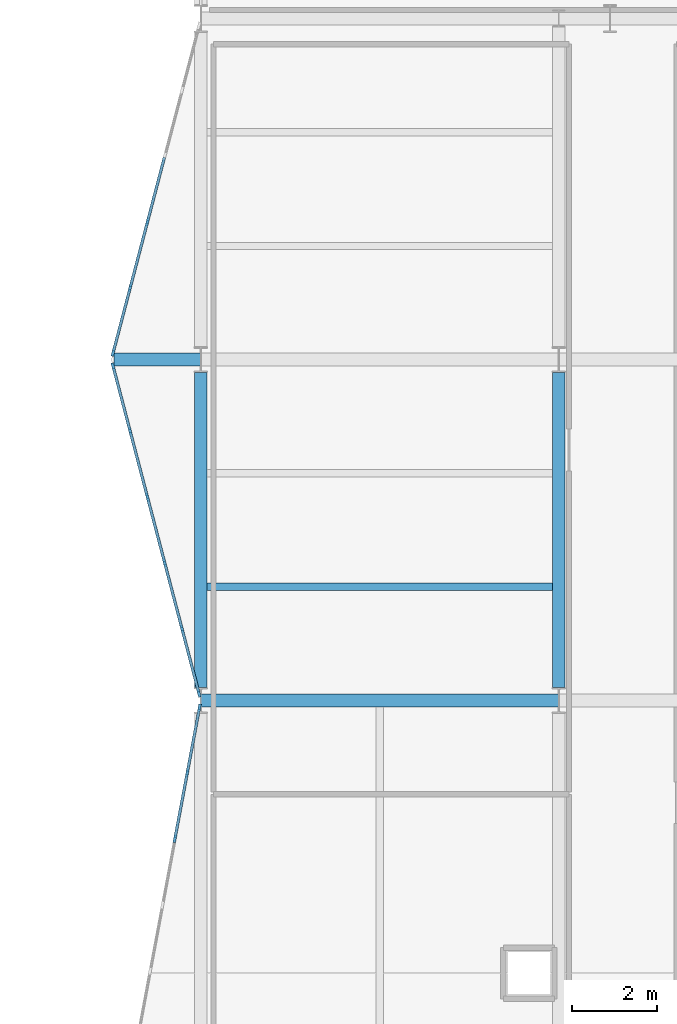
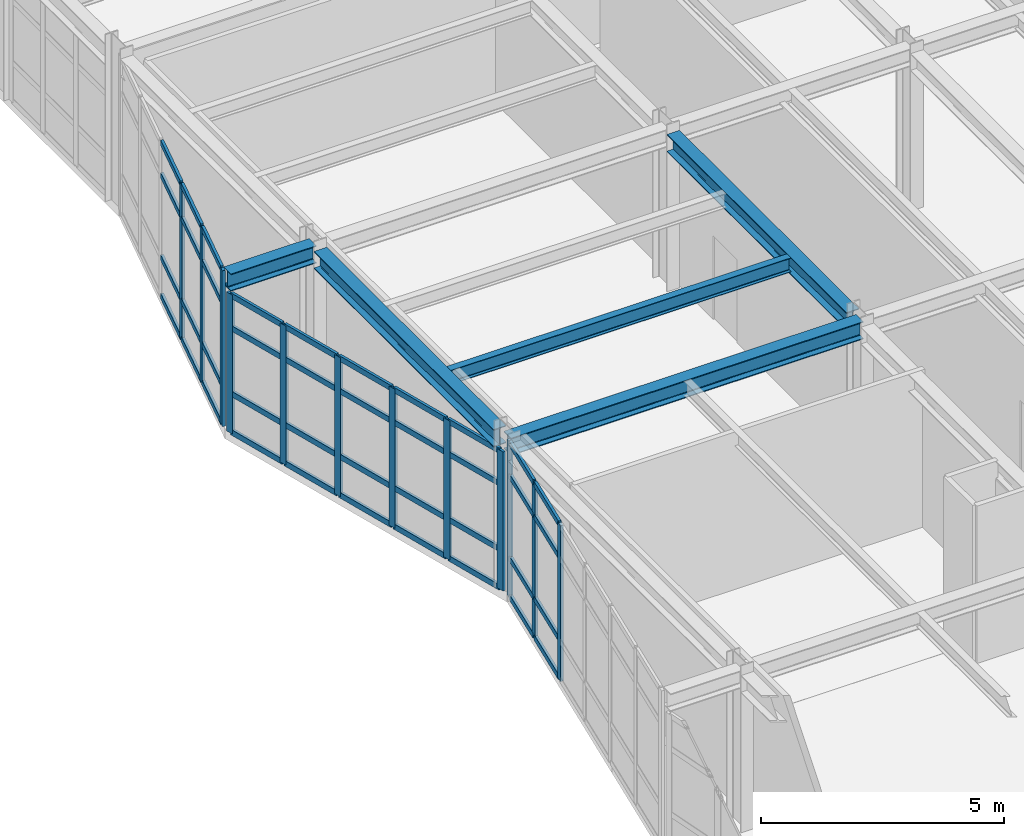
# One storey, part 35 of 99: 52 members, 5 beams, 3 elements without a shape of their own.
"""IFC4 building model written with IfcOpenShell, lengths in metres."""

from ifc_helpers import new_model, si_unit, direction, frame, origin, origin_2d, place, context, subcontext, project, spatial, rectangle, i_section, extrude, material, layer, layer_set, material_profile, profile_set, type_object, element, aggregate, save


model = new_model("IFC4")

# Units and contexts
model_context = context("Model", 3, precision=1e-05, world=origin(), true_north=direction((0.0, 1.0)))
body_context = subcontext(model_context, "Body", "Model", "MODEL_VIEW")
ifc_project = project(units=[si_unit("LENGTHUNIT", "METRE"), si_unit("AREAUNIT", "SQUARE_METRE"), si_unit("VOLUMEUNIT", "CUBIC_METRE"), si_unit("PLANEANGLEUNIT", "RADIAN"), si_unit("MASSUNIT", "GRAM", prefix="KILO")], contexts=[model_context])

# Site, building, storey
site_placement = place(None, origin())
site = spatial("IfcSite", under=ifc_project, at=site_placement, CompositionType="ELEMENT")
building_placement = place(site_placement, origin())
building = spatial("IfcBuilding", under=site, at=building_placement, Name="Nordkorset Police Headquarters", CompositionType="ELEMENT")
storey_placement = place(building_placement, frame((0.0, 0.0, 5.25)))
storey = spatial("IfcBuildingStorey", under=building, at=storey_placement, Name="L01", CompositionType="ELEMENT", Elevation=5.25)

# Beam
ifc_material_1 = material(Name="Steel S355J2", Category="steel")
ifc_material_profile_1 = material_profile(ifc_material_1, i_section(OverallWidth=0.169921875, OverallDepth=0.360107421875, WebThickness=0.008056640625, FlangeThickness=0.0126953125, FilletRadius=0.01806640625, at=origin_2d()), Name="IPE 360")
ifc_profile_set_1 = profile_set([ifc_material_profile_1], Name="Steel S355J2")
beam_type_1 = type_object("IfcBeamType", Name="Beam_IPE_360", PredefinedType="BEAM", material=ifc_profile_set_1)
beam_1_placement = place(storey_placement, frame((0.14990234375, 69.86669921875, 3.780029296875), z_axis=(1.0, 0.0, 0.0), x_axis=(0.0, 1.0, 0.0)))
element("IfcBeam", 1, at=beam_1_placement, inside=storey, type_object=beam_type_1, Name="Composite Floor Beam V3 L01 0-4-1", PredefinedType="BEAM", context=body_context, shape_type="SweptSolid", body=[
    extrude(i_section(OverallWidth=0.169921875, OverallDepth=0.360107421875, WebThickness=0.008056640625, FlangeThickness=0.0126953125, FilletRadius=0.01806640625, at=origin_2d()), origin(), (0.0, 0.0, 1.0), 8.10009765625),
])

# Curtain wall, members
ifc_material_2 = material(Name="Aluminium alloy AW-6060", Category="aluminium")
ifc_layer_1 = layer(ifc_material_2, 0.179931640625, Name="Aluminium alloy AW-6060")
ifc_layer_set_1 = layer_set([ifc_layer_1], Name="Aluminium alloy AW-6060")
curtain_wall_type_1 = type_object("IfcCurtainWallType", Name="CW_Unit_949x392", PredefinedType="USERDEFINED", material=ifc_layer_set_1)
curtain_wall_1_placement = place(storey_placement, origin())
curtain_wall_1 = element("IfcCurtainWall", 2, at=curtain_wall_1_placement, inside=storey, type_object=curtain_wall_type_1, Name="Unitised Curtain Wall L01 V3W-3", ObjectType="UNITISED CURTAIN WALL", PredefinedType="USERDEFINED")
ifc_material_3 = material(Name="Aluminium alloy AW-6060", Category="aluminium")
ifc_material_profile_2 = material_profile(ifc_material_3, rectangle(XDim=0.06494140625, YDim=0.179931640625, at=origin_2d()), Name="ALU MULL 65x180")
ifc_profile_set_2 = profile_set([ifc_material_profile_2], Name="Aluminium alloy AW-6060")
member_type_1 = type_object("IfcMemberType", Name="CW_Mullion_65x180", PredefinedType="MULLION", material=ifc_profile_set_2)
member_1_placement = place(storey_placement, frame((-0.608642578125, 63.9541015625, 0.0), z_axis=(0.0, 0.0, 1.0), x_axis=(-0.982872186935, 0.184288535048, 0.0)))
member_1 = element("IfcMember", 3, at=member_1_placement, type_object=member_type_1, Name="CW-49 mullion 5", PredefinedType="MULLION", context=body_context, shape_type="SweptSolid", body=[
    extrude(rectangle(XDim=0.06494140625, YDim=0.179931640625, at=origin_2d()), origin(), (0.0, 0.0, 1.0), 3.919921875),
])
member_2_placement = place(storey_placement, frame((-0.317138671875, 65.50830078125, 0.0), z_axis=(0.0, 0.0, 1.0), x_axis=(-0.982872186935, 0.184288535048, 0.0)))
member_2 = element("IfcMember", 4, at=member_2_placement, type_object=member_type_1, Name="CW-49 mullion 6", PredefinedType="MULLION", context=body_context, shape_type="SweptSolid", body=[
    extrude(rectangle(XDim=0.06494140625, YDim=0.179931640625, at=origin_2d()), origin(), (0.0, 0.0, 1.0), 3.919921875),
])
member_3_placement = place(storey_placement, frame((-0.03173828125, 67.030517578125, 0.0), z_axis=(0.0, 0.0, 1.0), x_axis=(-0.982872186935, 0.184288535048, 0.0)))
member_3 = element("IfcMember", 5, at=member_3_placement, type_object=member_type_1, Name="CW-49 mullion 7", PredefinedType="MULLION", context=body_context, shape_type="SweptSolid", body=[
    extrude(rectangle(XDim=0.06494140625, YDim=0.179931640625, at=origin_2d()), origin(), (0.0, 0.0, 1.0), 3.919921875),
])

ifc_material_4 = material(Name="Aluminium alloy AW-6060", Category="aluminium")
ifc_layer_2 = layer(ifc_material_4, 0.179931640625, Name="Aluminium alloy AW-6060")
ifc_layer_set_2 = layer_set([ifc_layer_2], Name="Aluminium alloy AW-6060")
curtain_wall_type_2 = type_object("IfcCurtainWallType", Name="CW_Unit_799x350", PredefinedType="USERDEFINED", material=ifc_layer_set_2)
curtain_wall_2_placement = place(storey_placement, origin())
curtain_wall_2 = element("IfcCurtainWall", 6, at=curtain_wall_2_placement, inside=storey, type_object=curtain_wall_type_2, Name="Unitised Curtain Wall L01 V3W-4", ObjectType="UNITISED CURTAIN WALL", PredefinedType="USERDEFINED")
member_4_placement = place(storey_placement, frame((-0.043701171875, 67.366943359375, 0.0), z_axis=(0.0, 0.0, 1.0), x_axis=(-0.967231265013, -0.25389698695, 0.0)))
member_4 = element("IfcMember", 7, at=member_4_placement, type_object=member_type_1, Name="CW-107 mullion 1", PredefinedType="MULLION", context=body_context, shape_type="SweptSolid", body=[
    extrude(rectangle(XDim=0.06494140625, YDim=0.179931640625, at=origin_2d()), origin(), (0.0, 0.0, 1.0), 3.5),
])
member_5_placement = place(storey_placement, frame((-0.44140625, 68.88134765625, 0.0), z_axis=(0.0, 0.0, 1.0), x_axis=(-0.967231265013, -0.25389698695, 0.0)))
member_5 = element("IfcMember", 8, at=member_5_placement, type_object=member_type_1, Name="CW-107 mullion 2", PredefinedType="MULLION", context=body_context, shape_type="SweptSolid", body=[
    extrude(rectangle(XDim=0.06494140625, YDim=0.179931640625, at=origin_2d()), origin(), (0.0, 0.0, 1.0), 3.5),
])
member_6_placement = place(storey_placement, frame((-0.84716796875, 70.427001953125, 0.0), z_axis=(0.0, 0.0, 1.0), x_axis=(-0.967231265013, -0.25389698695, 0.0)))
member_6 = element("IfcMember", 9, at=member_6_placement, type_object=member_type_1, Name="CW-107 mullion 3", PredefinedType="MULLION", context=body_context, shape_type="SweptSolid", body=[
    extrude(rectangle(XDim=0.06494140625, YDim=0.179931640625, at=origin_2d()), origin(), (0.0, 0.0, 1.0), 3.5),
])
member_7_placement = place(storey_placement, frame((-1.2529296875, 71.972900390625, 0.0), z_axis=(0.0, 0.0, 1.0), x_axis=(-0.967231265013, -0.25389698695, 0.0)))
member_7 = element("IfcMember", 10, at=member_7_placement, type_object=member_type_1, Name="CW-107 mullion 4", PredefinedType="MULLION", context=body_context, shape_type="SweptSolid", body=[
    extrude(rectangle(XDim=0.06494140625, YDim=0.179931640625, at=origin_2d()), origin(), (0.0, 0.0, 1.0), 3.5),
])
member_8_placement = place(storey_placement, frame((-1.65869140625, 73.518798828125, 0.0), z_axis=(0.0, 0.0, 1.0), x_axis=(-0.967231265013, -0.25389698695, 0.0)))
member_8 = element("IfcMember", 11, at=member_8_placement, type_object=member_type_1, Name="CW-107 mullion 5", PredefinedType="MULLION", context=body_context, shape_type="SweptSolid", body=[
    extrude(rectangle(XDim=0.06494140625, YDim=0.179931640625, at=origin_2d()), origin(), (0.0, 0.0, 1.0), 3.5),
])
member_9_placement = place(storey_placement, frame((-2.05615234375, 75.033203125, 0.0), z_axis=(0.0, 0.0, 1.0), x_axis=(-0.967231265013, -0.25389698695, 0.0)))
member_9 = element("IfcMember", 12, at=member_9_placement, type_object=member_type_1, Name="CW-107 mullion 6", PredefinedType="MULLION", context=body_context, shape_type="SweptSolid", body=[
    extrude(rectangle(XDim=0.06494140625, YDim=0.179931640625, at=origin_2d()), origin(), (0.0, 0.0, 1.0), 3.5),
])

ifc_material_5 = material(Name="Aluminium alloy AW-6060", Category="aluminium")
ifc_layer_3 = layer(ifc_material_5, 0.179931640625, Name="Aluminium alloy AW-6060")
ifc_layer_set_3 = layer_set([ifc_layer_3], Name="Aluminium alloy AW-6060")
curtain_wall_type_3 = type_object("IfcCurtainWallType", Name="CW_Unit_799x392", PredefinedType="USERDEFINED", material=ifc_layer_set_3)
curtain_wall_3_placement = place(storey_placement, origin())
curtain_wall_3 = element("IfcCurtainWall", 13, at=curtain_wall_3_placement, inside=storey, type_object=curtain_wall_type_3, Name="Unitised Curtain Wall L01 V3W-5", ObjectType="UNITISED CURTAIN WALL", PredefinedType="USERDEFINED")
member_10_placement = place(storey_placement, frame((-2.05615234375, 75.366943359375, 0.0), z_axis=(0.0, 0.0, 1.0), x_axis=(-0.967231265013, 0.25389698695, 0.0)))
member_10 = element("IfcMember", 14, at=member_10_placement, type_object=member_type_1, Name="CW-68 mullion 1", PredefinedType="MULLION", context=body_context, shape_type="SweptSolid", body=[
    extrude(rectangle(XDim=0.06494140625, YDim=0.179931640625, at=origin_2d()), origin(), (0.0, 0.0, 1.0), 3.919921875),
])
member_11_placement = place(storey_placement, frame((-1.65869140625, 76.88134765625, 0.0), z_axis=(0.0, 0.0, 1.0), x_axis=(-0.967231265013, 0.25389698695, 0.0)))
member_11 = element("IfcMember", 15, at=member_11_placement, type_object=member_type_1, Name="CW-68 mullion 2", PredefinedType="MULLION", context=body_context, shape_type="SweptSolid", body=[
    extrude(rectangle(XDim=0.06494140625, YDim=0.179931640625, at=origin_2d()), origin(), (0.0, 0.0, 1.0), 3.919921875),
])
member_12_placement = place(storey_placement, frame((-1.2529296875, 78.427001953125, 0.0), z_axis=(0.0, 0.0, 1.0), x_axis=(-0.967231265013, 0.25389698695, 0.0)))
member_12 = element("IfcMember", 16, at=member_12_placement, type_object=member_type_1, Name="CW-68 mullion 3", PredefinedType="MULLION", context=body_context, shape_type="SweptSolid", body=[
    extrude(rectangle(XDim=0.06494140625, YDim=0.179931640625, at=origin_2d()), origin(), (0.0, 0.0, 1.0), 3.919921875),
])

# Member
ifc_material_6 = material(Name="Aluminium alloy AW-6060", Category="aluminium")
ifc_material_profile_3 = material_profile(ifc_material_6, rectangle(XDim=0.06494140625, YDim=0.139892578125, at=origin_2d()), Name="ALU TRAN 65x140")
ifc_profile_set_3 = profile_set([ifc_material_profile_3], Name="Aluminium alloy AW-6060")
member_type_2 = type_object("IfcMemberType", Name="CW_Transom_65x140", PredefinedType="USERDEFINED", material=ifc_profile_set_3)
member_13_placement = place(storey_placement, frame((-0.6025390625, 63.986083984375, 0.032470703125), z_axis=(0.184210757138, 0.982886767107, 0.0), x_axis=(-0.982886767107, 0.184210757138, 0.0)))
member_13 = element("IfcMember", 17, at=member_13_placement, type_object=member_type_2, Name="CW-49 transom 5.1", ObjectType="TRANSOM", PredefinedType="USERDEFINED", context=body_context, shape_type="SweptSolid", body=[
    extrude(rectangle(XDim=0.06494140625, YDim=0.139892578125, at=origin_2d()), origin(), (0.0, 0.0, 1.0), 1.51611328125),
])

member_14_placement = place(storey_placement, frame((-0.6025390625, 63.986083984375, 1.0), z_axis=(0.184210757138, 0.982886767107, 0.0), x_axis=(-0.982886767107, 0.184210757138, 0.0)))
member_14 = element("IfcMember", 18, at=member_14_placement, type_object=member_type_2, Name="CW-49 transom 5.2", ObjectType="TRANSOM", PredefinedType="USERDEFINED", context=body_context, shape_type="SweptSolid", body=[
    extrude(rectangle(XDim=0.06494140625, YDim=0.139892578125, at=origin_2d()), origin(), (0.0, 0.0, 1.0), 1.51611328125),
])

member_15_placement = place(storey_placement, frame((-0.6025390625, 63.986083984375, 3.070068359375), z_axis=(0.184210757138, 0.982886767107, 0.0), x_axis=(-0.982886767107, 0.184210757138, 0.0)))
member_15 = element("IfcMember", 19, at=member_15_placement, type_object=member_type_2, Name="CW-49 transom 5.3", ObjectType="TRANSOM", PredefinedType="USERDEFINED", context=body_context, shape_type="SweptSolid", body=[
    extrude(rectangle(XDim=0.06494140625, YDim=0.139892578125, at=origin_2d()), origin(), (0.0, 0.0, 1.0), 1.51611328125),
])

member_16_placement = place(storey_placement, frame((-0.6025390625, 63.986083984375, 3.887451171875), z_axis=(0.184210757138, 0.982886767107, 0.0), x_axis=(-0.982886767107, 0.184210757138, 0.0)))
member_16 = element("IfcMember", 20, at=member_16_placement, type_object=member_type_2, Name="CW-49 transom 5.4", ObjectType="TRANSOM", PredefinedType="USERDEFINED", context=body_context, shape_type="SweptSolid", body=[
    extrude(rectangle(XDim=0.06494140625, YDim=0.139892578125, at=origin_2d()), origin(), (0.0, 0.0, 1.0), 1.51611328125),
])

member_17_placement = place(storey_placement, frame((-0.311279296875, 65.540283203125, 0.032470703125), z_axis=(0.184298470268, 0.982870324029, 0.0), x_axis=(-0.982870324029, 0.184298470268, 0.0)))
member_17 = element("IfcMember", 21, at=member_17_placement, type_object=member_type_2, Name="CW-49 transom 6.1", ObjectType="TRANSOM", PredefinedType="USERDEFINED", context=body_context, shape_type="SweptSolid", body=[
    extrude(rectangle(XDim=0.06494140625, YDim=0.139892578125, at=origin_2d()), origin(), (0.0, 0.0, 1.0), 1.483642578125),
])

member_18_placement = place(storey_placement, frame((-0.311279296875, 65.540283203125, 1.0), z_axis=(0.184298470268, 0.982870324029, 0.0), x_axis=(-0.982870324029, 0.184298470268, 0.0)))
member_18 = element("IfcMember", 22, at=member_18_placement, type_object=member_type_2, Name="CW-49 transom 6.2", ObjectType="TRANSOM", PredefinedType="USERDEFINED", context=body_context, shape_type="SweptSolid", body=[
    extrude(rectangle(XDim=0.06494140625, YDim=0.139892578125, at=origin_2d()), origin(), (0.0, 0.0, 1.0), 1.483642578125),
])

member_19_placement = place(storey_placement, frame((-0.311279296875, 65.540283203125, 3.070068359375), z_axis=(0.184298470268, 0.982870324029, 0.0), x_axis=(-0.982870324029, 0.184298470268, 0.0)))
member_19 = element("IfcMember", 23, at=member_19_placement, type_object=member_type_2, Name="CW-49 transom 6.3", ObjectType="TRANSOM", PredefinedType="USERDEFINED", context=body_context, shape_type="SweptSolid", body=[
    extrude(rectangle(XDim=0.06494140625, YDim=0.139892578125, at=origin_2d()), origin(), (0.0, 0.0, 1.0), 1.483642578125),
])

member_20_placement = place(storey_placement, frame((-0.311279296875, 65.540283203125, 3.887451171875), z_axis=(0.184298470268, 0.982870324029, 0.0), x_axis=(-0.982870324029, 0.184298470268, 0.0)))
member_20 = element("IfcMember", 24, at=member_20_placement, type_object=member_type_2, Name="CW-49 transom 6.4", ObjectType="TRANSOM", PredefinedType="USERDEFINED", context=body_context, shape_type="SweptSolid", body=[
    extrude(rectangle(XDim=0.06494140625, YDim=0.139892578125, at=origin_2d()), origin(), (0.0, 0.0, 1.0), 1.483642578125),
])

aggregate(curtain_wall_1, [member_1, member_2, member_3, member_13, member_14, member_15, member_16, member_17, member_18, member_19, member_20])

member_21_placement = place(storey_placement, frame((-0.052001953125, 67.398193359375, 0.032470703125), z_axis=(-0.253924760119, 0.967223974164, 0.0), x_axis=(-0.967223974164, -0.253924760119, 0.0)))
member_21 = element("IfcMember", 25, at=member_21_placement, type_object=member_type_2, Name="CW-107 transom 1.1", ObjectType="TRANSOM", PredefinedType="USERDEFINED", context=body_context, shape_type="SweptSolid", body=[
    extrude(rectangle(XDim=0.06494140625, YDim=0.139892578125, at=origin_2d()), origin(), (0.0, 0.0, 1.0), 1.500732421875),
])

member_22_placement = place(storey_placement, frame((-0.052001953125, 67.398193359375, 1.0), z_axis=(-0.253924760119, 0.967223974164, 0.0), x_axis=(-0.967223974164, -0.253924760119, 0.0)))
member_22 = element("IfcMember", 26, at=member_22_placement, type_object=member_type_2, Name="CW-107 transom 1.2", ObjectType="TRANSOM", PredefinedType="USERDEFINED", context=body_context, shape_type="SweptSolid", body=[
    extrude(rectangle(XDim=0.06494140625, YDim=0.139892578125, at=origin_2d()), origin(), (0.0, 0.0, 1.0), 1.500732421875),
])

member_23_placement = place(storey_placement, frame((-0.052001953125, 67.398193359375, 2.64990234375), z_axis=(-0.253924760119, 0.967223974164, 0.0), x_axis=(-0.967223974164, -0.253924760119, 0.0)))
member_23 = element("IfcMember", 27, at=member_23_placement, type_object=member_type_2, Name="CW-107 transom 1.3", ObjectType="TRANSOM", PredefinedType="USERDEFINED", context=body_context, shape_type="SweptSolid", body=[
    extrude(rectangle(XDim=0.06494140625, YDim=0.139892578125, at=origin_2d()), origin(), (0.0, 0.0, 1.0), 1.500732421875),
])

member_24_placement = place(storey_placement, frame((-0.052001953125, 67.398193359375, 3.467529296875), z_axis=(-0.253924760119, 0.967223974164, 0.0), x_axis=(-0.967223974164, -0.253924760119, 0.0)))
member_24 = element("IfcMember", 28, at=member_24_placement, type_object=member_type_2, Name="CW-107 transom 1.4", ObjectType="TRANSOM", PredefinedType="USERDEFINED", context=body_context, shape_type="SweptSolid", body=[
    extrude(rectangle(XDim=0.06494140625, YDim=0.139892578125, at=origin_2d()), origin(), (0.0, 0.0, 1.0), 1.500732421875),
])

member_25_placement = place(storey_placement, frame((-0.449462890625, 68.91259765625, 0.032470703125), z_axis=(-0.253944674811, 0.967218745753, 0.0), x_axis=(-0.967218745753, -0.253944674811, 0.0)))
member_25 = element("IfcMember", 29, at=member_25_placement, type_object=member_type_2, Name="CW-107 transom 2.1", ObjectType="TRANSOM", PredefinedType="USERDEFINED", context=body_context, shape_type="SweptSolid", body=[
    extrude(rectangle(XDim=0.06494140625, YDim=0.139892578125, at=origin_2d()), origin(), (0.0, 0.0, 1.0), 1.533447265625),
])

member_26_placement = place(storey_placement, frame((-0.449462890625, 68.91259765625, 1.0), z_axis=(-0.253944674811, 0.967218745753, 0.0), x_axis=(-0.967218745753, -0.253944674811, 0.0)))
member_26 = element("IfcMember", 30, at=member_26_placement, type_object=member_type_2, Name="CW-107 transom 2.2", ObjectType="TRANSOM", PredefinedType="USERDEFINED", context=body_context, shape_type="SweptSolid", body=[
    extrude(rectangle(XDim=0.06494140625, YDim=0.139892578125, at=origin_2d()), origin(), (0.0, 0.0, 1.0), 1.533447265625),
])

member_27_placement = place(storey_placement, frame((-0.449462890625, 68.91259765625, 2.64990234375), z_axis=(-0.253944674811, 0.967218745753, 0.0), x_axis=(-0.967218745753, -0.253944674811, 0.0)))
member_27 = element("IfcMember", 31, at=member_27_placement, type_object=member_type_2, Name="CW-107 transom 2.3", ObjectType="TRANSOM", PredefinedType="USERDEFINED", context=body_context, shape_type="SweptSolid", body=[
    extrude(rectangle(XDim=0.06494140625, YDim=0.139892578125, at=origin_2d()), origin(), (0.0, 0.0, 1.0), 1.533447265625),
])

member_28_placement = place(storey_placement, frame((-0.449462890625, 68.91259765625, 3.467529296875), z_axis=(-0.253944674811, 0.967218745753, 0.0), x_axis=(-0.967218745753, -0.253944674811, 0.0)))
member_28 = element("IfcMember", 32, at=member_28_placement, type_object=member_type_2, Name="CW-107 transom 2.4", ObjectType="TRANSOM", PredefinedType="USERDEFINED", context=body_context, shape_type="SweptSolid", body=[
    extrude(rectangle(XDim=0.06494140625, YDim=0.139892578125, at=origin_2d()), origin(), (0.0, 0.0, 1.0), 1.533447265625),
])

member_29_placement = place(storey_placement, frame((-0.85546875, 70.45849609375, 0.032470703125), z_axis=(-0.253834812056, 0.967247583708, 0.0), x_axis=(-0.967247583708, -0.253834812056, 0.0)))
member_29 = element("IfcMember", 33, at=member_29_placement, type_object=member_type_2, Name="CW-107 transom 3.1", ObjectType="TRANSOM", PredefinedType="USERDEFINED", context=body_context, shape_type="SweptSolid", body=[
    extrude(rectangle(XDim=0.06494140625, YDim=0.139892578125, at=origin_2d()), origin(), (0.0, 0.0, 1.0), 1.533203125),
])

member_30_placement = place(storey_placement, frame((-0.85546875, 70.45849609375, 1.0), z_axis=(-0.253834812056, 0.967247583708, 0.0), x_axis=(-0.967247583708, -0.253834812056, 0.0)))
member_30 = element("IfcMember", 34, at=member_30_placement, type_object=member_type_2, Name="CW-107 transom 3.2", ObjectType="TRANSOM", PredefinedType="USERDEFINED", context=body_context, shape_type="SweptSolid", body=[
    extrude(rectangle(XDim=0.06494140625, YDim=0.139892578125, at=origin_2d()), origin(), (0.0, 0.0, 1.0), 1.533203125),
])

member_31_placement = place(storey_placement, frame((-0.85546875, 70.45849609375, 2.64990234375), z_axis=(-0.253834812056, 0.967247583708, 0.0), x_axis=(-0.967247583708, -0.253834812056, 0.0)))
member_31 = element("IfcMember", 35, at=member_31_placement, type_object=member_type_2, Name="CW-107 transom 3.3", ObjectType="TRANSOM", PredefinedType="USERDEFINED", context=body_context, shape_type="SweptSolid", body=[
    extrude(rectangle(XDim=0.06494140625, YDim=0.139892578125, at=origin_2d()), origin(), (0.0, 0.0, 1.0), 1.533203125),
])

member_32_placement = place(storey_placement, frame((-0.85546875, 70.45849609375, 3.467529296875), z_axis=(-0.253834812056, 0.967247583708, 0.0), x_axis=(-0.967247583708, -0.253834812056, 0.0)))
member_32 = element("IfcMember", 36, at=member_32_placement, type_object=member_type_2, Name="CW-107 transom 3.4", ObjectType="TRANSOM", PredefinedType="USERDEFINED", context=body_context, shape_type="SweptSolid", body=[
    extrude(rectangle(XDim=0.06494140625, YDim=0.139892578125, at=origin_2d()), origin(), (0.0, 0.0, 1.0), 1.533203125),
])

member_33_placement = place(storey_placement, frame((-1.26123046875, 72.00439453125, 0.032470703125), z_axis=(-0.253834812056, 0.967247583708, 0.0), x_axis=(-0.967247583708, -0.253834812056, 0.0)))
member_33 = element("IfcMember", 37, at=member_33_placement, type_object=member_type_2, Name="CW-107 transom 4.1", ObjectType="TRANSOM", PredefinedType="USERDEFINED", context=body_context, shape_type="SweptSolid", body=[
    extrude(rectangle(XDim=0.06494140625, YDim=0.139892578125, at=origin_2d()), origin(), (0.0, 0.0, 1.0), 1.533203125),
])

member_34_placement = place(storey_placement, frame((-1.26123046875, 72.00439453125, 1.0), z_axis=(-0.253834812056, 0.967247583708, 0.0), x_axis=(-0.967247583708, -0.253834812056, 0.0)))
member_34 = element("IfcMember", 38, at=member_34_placement, type_object=member_type_2, Name="CW-107 transom 4.2", ObjectType="TRANSOM", PredefinedType="USERDEFINED", context=body_context, shape_type="SweptSolid", body=[
    extrude(rectangle(XDim=0.06494140625, YDim=0.139892578125, at=origin_2d()), origin(), (0.0, 0.0, 1.0), 1.533203125),
])

member_35_placement = place(storey_placement, frame((-1.26123046875, 72.00439453125, 2.64990234375), z_axis=(-0.253834812056, 0.967247583708, 0.0), x_axis=(-0.967247583708, -0.253834812056, 0.0)))
member_35 = element("IfcMember", 39, at=member_35_placement, type_object=member_type_2, Name="CW-107 transom 4.3", ObjectType="TRANSOM", PredefinedType="USERDEFINED", context=body_context, shape_type="SweptSolid", body=[
    extrude(rectangle(XDim=0.06494140625, YDim=0.139892578125, at=origin_2d()), origin(), (0.0, 0.0, 1.0), 1.533203125),
])

member_36_placement = place(storey_placement, frame((-1.26123046875, 72.00439453125, 3.467529296875), z_axis=(-0.253834812056, 0.967247583708, 0.0), x_axis=(-0.967247583708, -0.253834812056, 0.0)))
member_36 = element("IfcMember", 40, at=member_36_placement, type_object=member_type_2, Name="CW-107 transom 4.4", ObjectType="TRANSOM", PredefinedType="USERDEFINED", context=body_context, shape_type="SweptSolid", body=[
    extrude(rectangle(XDim=0.06494140625, YDim=0.139892578125, at=origin_2d()), origin(), (0.0, 0.0, 1.0), 1.533203125),
])

member_37_placement = place(storey_placement, frame((-1.6669921875, 73.55029296875, 0.032470703125), z_axis=(-0.253812508184, 0.967253436639, 0.0), x_axis=(-0.967253436639, -0.253812508184, 0.0)))
member_37 = element("IfcMember", 41, at=member_37_placement, type_object=member_type_2, Name="CW-107 transom 5.1", ObjectType="TRANSOM", PredefinedType="USERDEFINED", context=body_context, shape_type="SweptSolid", body=[
    extrude(rectangle(XDim=0.06494140625, YDim=0.139892578125, at=origin_2d()), origin(), (0.0, 0.0, 1.0), 1.50048828125),
])

member_38_placement = place(storey_placement, frame((-1.6669921875, 73.55029296875, 1.0), z_axis=(-0.253812508184, 0.967253436639, 0.0), x_axis=(-0.967253436639, -0.253812508184, 0.0)))
member_38 = element("IfcMember", 42, at=member_38_placement, type_object=member_type_2, Name="CW-107 transom 5.2", ObjectType="TRANSOM", PredefinedType="USERDEFINED", context=body_context, shape_type="SweptSolid", body=[
    extrude(rectangle(XDim=0.06494140625, YDim=0.139892578125, at=origin_2d()), origin(), (0.0, 0.0, 1.0), 1.50048828125),
])

member_39_placement = place(storey_placement, frame((-1.6669921875, 73.55029296875, 2.64990234375), z_axis=(-0.253812508184, 0.967253436639, 0.0), x_axis=(-0.967253436639, -0.253812508184, 0.0)))
member_39 = element("IfcMember", 43, at=member_39_placement, type_object=member_type_2, Name="CW-107 transom 5.3", ObjectType="TRANSOM", PredefinedType="USERDEFINED", context=body_context, shape_type="SweptSolid", body=[
    extrude(rectangle(XDim=0.06494140625, YDim=0.139892578125, at=origin_2d()), origin(), (0.0, 0.0, 1.0), 1.50048828125),
])

member_40_placement = place(storey_placement, frame((-1.6669921875, 73.55029296875, 3.467529296875), z_axis=(-0.253812508184, 0.967253436639, 0.0), x_axis=(-0.967253436639, -0.253812508184, 0.0)))
member_40 = element("IfcMember", 44, at=member_40_placement, type_object=member_type_2, Name="CW-107 transom 5.4", ObjectType="TRANSOM", PredefinedType="USERDEFINED", context=body_context, shape_type="SweptSolid", body=[
    extrude(rectangle(XDim=0.06494140625, YDim=0.139892578125, at=origin_2d()), origin(), (0.0, 0.0, 1.0), 1.50048828125),
])

aggregate(curtain_wall_2, [member_4, member_5, member_6, member_7, member_8, member_9, member_21, member_22, member_23, member_24, member_25, member_26, member_27, member_28, member_29, member_30, member_31, member_32, member_33, member_34, member_35, member_36, member_37, member_38, member_39, member_40])

member_41_placement = place(storey_placement, frame((-2.0478515625, 75.398193359375, 0.032470703125), z_axis=(0.253772571157, 0.967263915448, 0.0), x_axis=(-0.967263915448, 0.253772571157, 0.0)))
member_41 = element("IfcMember", 45, at=member_41_placement, type_object=member_type_2, Name="CW-68 transom 1.1", ObjectType="TRANSOM", PredefinedType="USERDEFINED", context=body_context, shape_type="SweptSolid", body=[
    extrude(rectangle(XDim=0.06494140625, YDim=0.139892578125, at=origin_2d()), origin(), (0.0, 0.0, 1.0), 1.500732421875),
])

member_42_placement = place(storey_placement, frame((-2.0478515625, 75.398193359375, 1.0), z_axis=(0.253772571157, 0.967263915448, 0.0), x_axis=(-0.967263915448, 0.253772571157, 0.0)))
member_42 = element("IfcMember", 46, at=member_42_placement, type_object=member_type_2, Name="CW-68 transom 1.2", ObjectType="TRANSOM", PredefinedType="USERDEFINED", context=body_context, shape_type="SweptSolid", body=[
    extrude(rectangle(XDim=0.06494140625, YDim=0.139892578125, at=origin_2d()), origin(), (0.0, 0.0, 1.0), 1.500732421875),
])

member_43_placement = place(storey_placement, frame((-2.0478515625, 75.398193359375, 3.070068359375), z_axis=(0.253772571157, 0.967263915448, 0.0), x_axis=(-0.967263915448, 0.253772571157, 0.0)))
member_43 = element("IfcMember", 47, at=member_43_placement, type_object=member_type_2, Name="CW-68 transom 1.3", ObjectType="TRANSOM", PredefinedType="USERDEFINED", context=body_context, shape_type="SweptSolid", body=[
    extrude(rectangle(XDim=0.06494140625, YDim=0.139892578125, at=origin_2d()), origin(), (0.0, 0.0, 1.0), 1.500732421875),
])

member_44_placement = place(storey_placement, frame((-2.0478515625, 75.398193359375, 3.887451171875), z_axis=(0.253772571157, 0.967263915448, 0.0), x_axis=(-0.967263915448, 0.253772571157, 0.0)))
member_44 = element("IfcMember", 48, at=member_44_placement, type_object=member_type_2, Name="CW-68 transom 1.4", ObjectType="TRANSOM", PredefinedType="USERDEFINED", context=body_context, shape_type="SweptSolid", body=[
    extrude(rectangle(XDim=0.06494140625, YDim=0.139892578125, at=origin_2d()), origin(), (0.0, 0.0, 1.0), 1.500732421875),
])

member_45_placement = place(storey_placement, frame((-1.650390625, 76.91259765625, 0.032470703125), z_axis=(0.253795720126, 0.96725784176, 0.0), x_axis=(-0.96725784176, 0.253795720126, 0.0)))
member_45 = element("IfcMember", 49, at=member_45_placement, type_object=member_type_2, Name="CW-68 transom 2.1", ObjectType="TRANSOM", PredefinedType="USERDEFINED", context=body_context, shape_type="SweptSolid", body=[
    extrude(rectangle(XDim=0.06494140625, YDim=0.139892578125, at=origin_2d()), origin(), (0.0, 0.0, 1.0), 1.533447265625),
])

member_46_placement = place(storey_placement, frame((-1.650390625, 76.91259765625, 1.0), z_axis=(0.253795720126, 0.96725784176, 0.0), x_axis=(-0.96725784176, 0.253795720126, 0.0)))
member_46 = element("IfcMember", 50, at=member_46_placement, type_object=member_type_2, Name="CW-68 transom 2.2", ObjectType="TRANSOM", PredefinedType="USERDEFINED", context=body_context, shape_type="SweptSolid", body=[
    extrude(rectangle(XDim=0.06494140625, YDim=0.139892578125, at=origin_2d()), origin(), (0.0, 0.0, 1.0), 1.533447265625),
])

member_47_placement = place(storey_placement, frame((-1.650390625, 76.91259765625, 3.070068359375), z_axis=(0.253795720126, 0.96725784176, 0.0), x_axis=(-0.96725784176, 0.253795720126, 0.0)))
member_47 = element("IfcMember", 51, at=member_47_placement, type_object=member_type_2, Name="CW-68 transom 2.3", ObjectType="TRANSOM", PredefinedType="USERDEFINED", context=body_context, shape_type="SweptSolid", body=[
    extrude(rectangle(XDim=0.06494140625, YDim=0.139892578125, at=origin_2d()), origin(), (0.0, 0.0, 1.0), 1.533447265625),
])

member_48_placement = place(storey_placement, frame((-1.650390625, 76.91259765625, 3.887451171875), z_axis=(0.253795720126, 0.96725784176, 0.0), x_axis=(-0.96725784176, 0.253795720126, 0.0)))
member_48 = element("IfcMember", 52, at=member_48_placement, type_object=member_type_2, Name="CW-68 transom 2.4", ObjectType="TRANSOM", PredefinedType="USERDEFINED", context=body_context, shape_type="SweptSolid", body=[
    extrude(rectangle(XDim=0.06494140625, YDim=0.139892578125, at=origin_2d()), origin(), (0.0, 0.0, 1.0), 1.533447265625),
])

member_49_placement = place(storey_placement, frame((-1.24462890625, 78.45849609375, 0.032470703125), z_axis=(0.253834812056, 0.967247583708, 0.0), x_axis=(-0.967247583708, 0.253834812056, 0.0)))
member_49 = element("IfcMember", 53, at=member_49_placement, type_object=member_type_2, Name="CW-68 transom 3.1", ObjectType="TRANSOM", PredefinedType="USERDEFINED", context=body_context, shape_type="SweptSolid", body=[
    extrude(rectangle(XDim=0.06494140625, YDim=0.139892578125, at=origin_2d()), origin(), (0.0, 0.0, 1.0), 1.533203125),
])

member_50_placement = place(storey_placement, frame((-1.24462890625, 78.45849609375, 1.0), z_axis=(0.253834812056, 0.967247583708, 0.0), x_axis=(-0.967247583708, 0.253834812056, 0.0)))
member_50 = element("IfcMember", 54, at=member_50_placement, type_object=member_type_2, Name="CW-68 transom 3.2", ObjectType="TRANSOM", PredefinedType="USERDEFINED", context=body_context, shape_type="SweptSolid", body=[
    extrude(rectangle(XDim=0.06494140625, YDim=0.139892578125, at=origin_2d()), origin(), (0.0, 0.0, 1.0), 1.533203125),
])

member_51_placement = place(storey_placement, frame((-1.24462890625, 78.45849609375, 3.070068359375), z_axis=(0.253834812056, 0.967247583708, 0.0), x_axis=(-0.967247583708, 0.253834812056, 0.0)))
member_51 = element("IfcMember", 55, at=member_51_placement, type_object=member_type_2, Name="CW-68 transom 3.3", ObjectType="TRANSOM", PredefinedType="USERDEFINED", context=body_context, shape_type="SweptSolid", body=[
    extrude(rectangle(XDim=0.06494140625, YDim=0.139892578125, at=origin_2d()), origin(), (0.0, 0.0, 1.0), 1.533203125),
])

member_52_placement = place(storey_placement, frame((-1.24462890625, 78.45849609375, 3.887451171875), z_axis=(0.253834812056, 0.967247583708, 0.0), x_axis=(-0.967247583708, 0.253834812056, 0.0)))
member_52 = element("IfcMember", 56, at=member_52_placement, type_object=member_type_2, Name="CW-68 transom 3.4", ObjectType="TRANSOM", PredefinedType="USERDEFINED", context=body_context, shape_type="SweptSolid", body=[
    extrude(rectangle(XDim=0.06494140625, YDim=0.139892578125, at=origin_2d()), origin(), (0.0, 0.0, 1.0), 1.533203125),
])

aggregate(curtain_wall_3, [member_10, member_11, member_12, member_41, member_42, member_43, member_44, member_45, member_46, member_47, member_48, member_49, member_50, member_51, member_52])

# Beams
ifc_material_7 = material(Name="Steel S355J2", Category="steel")
ifc_material_profile_4 = material_profile(ifc_material_7, i_section(OverallWidth=0.300048828125, OverallDepth=0.43994140625, WebThickness=0.011474609375, FlangeThickness=0.02099609375, FilletRadius=0.027099609375, at=origin_2d()), Name="HEA 450")
ifc_profile_set_4 = profile_set([ifc_material_profile_4], Name="Steel S355J2")
beam_type_2 = type_object("IfcBeamType", Name="Girder_HEA_450", PredefinedType="USERDEFINED", material=ifc_profile_set_4)
beam_2_placement = place(storey_placement, frame((0.0078125, 67.199951171875, 3.739990234375), z_axis=(1.0, 0.0, 0.0), x_axis=(0.0, 1.0, 0.0)))
element("IfcBeam", 57, at=beam_2_placement, inside=storey, type_object=beam_type_2, Name="Girder V3 L01 GX-4-0", ObjectType="GIRDER", PredefinedType="USERDEFINED", context=body_context, shape_type="SweptSolid", body=[
    extrude(i_section(OverallWidth=0.300048828125, OverallDepth=0.43994140625, WebThickness=0.011474609375, FlangeThickness=0.02099609375, FilletRadius=0.027099609375, at=origin_2d()), origin(), (0.0, 0.0, 1.0), 8.384521484375),
])
for number, where, z_axis, x_axis, name in (
    (58, (0.0, 67.5, 3.739990234375), (0.0, 1.0, 0.0), (-1.0, 0.0, 0.0), "Girder V3 L01 GY-0-4"),
    (59, (8.39990234375, 67.5, 3.739990234375), (0.0, 1.0, 0.0), (-1.0, 0.0, 0.0), "Girder V3 L01 GY-1-4"),
):
    element("IfcBeam", number, at=place(storey_placement, frame(where, z_axis=z_axis, x_axis=x_axis)), inside=storey, type_object=beam_type_2, Name=name, ObjectType="GIRDER", PredefinedType="USERDEFINED", context=body_context, shape_type="SweptSolid", body=[
        extrude(i_section(OverallWidth=0.300048828125, OverallDepth=0.43994140625, WebThickness=0.011474609375, FlangeThickness=0.02099609375, FilletRadius=0.027099609375, at=origin_2d()), origin(), (0.0, 0.0, 1.0), 7.39990234375),
    ])
beam_3_placement = place(storey_placement, frame((-0.0078125, 75.199951171875, 3.739990234375), z_axis=(-1.0, 0.0, 0.0), x_axis=(0.0, -1.0, 0.0)))
element("IfcBeam", 60, at=beam_3_placement, inside=storey, type_object=beam_type_2, Name="Sawtooth Facade Outrigger V3 L01 75", ObjectType="GIRDER", PredefinedType="USERDEFINED", context=body_context, shape_type="SweptSolid", body=[
    extrude(i_section(OverallWidth=0.300048828125, OverallDepth=0.43994140625, WebThickness=0.011474609375, FlangeThickness=0.02099609375, FilletRadius=0.027099609375, at=origin_2d()), origin(), (0.0, 0.0, 1.0), 2.0322265625),
])

save(model, "model.ifc")
